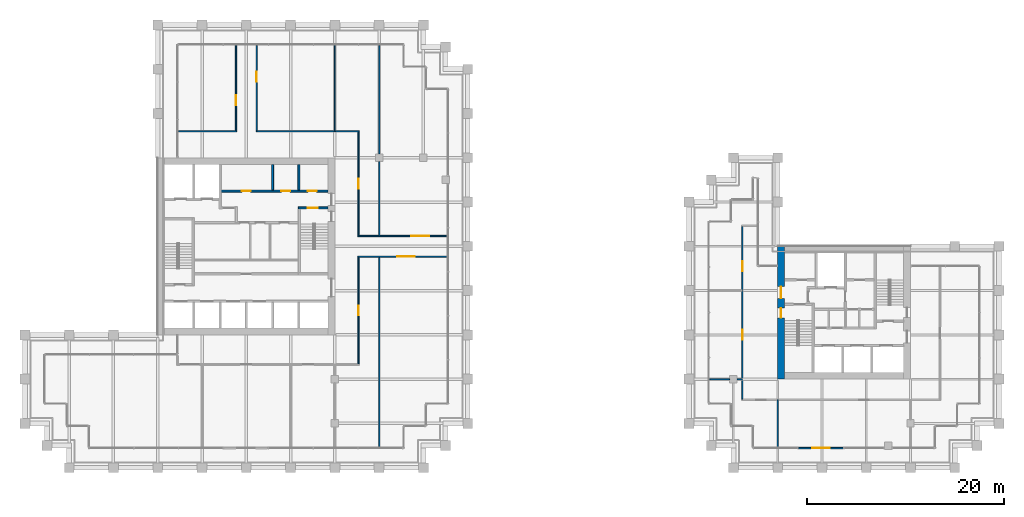
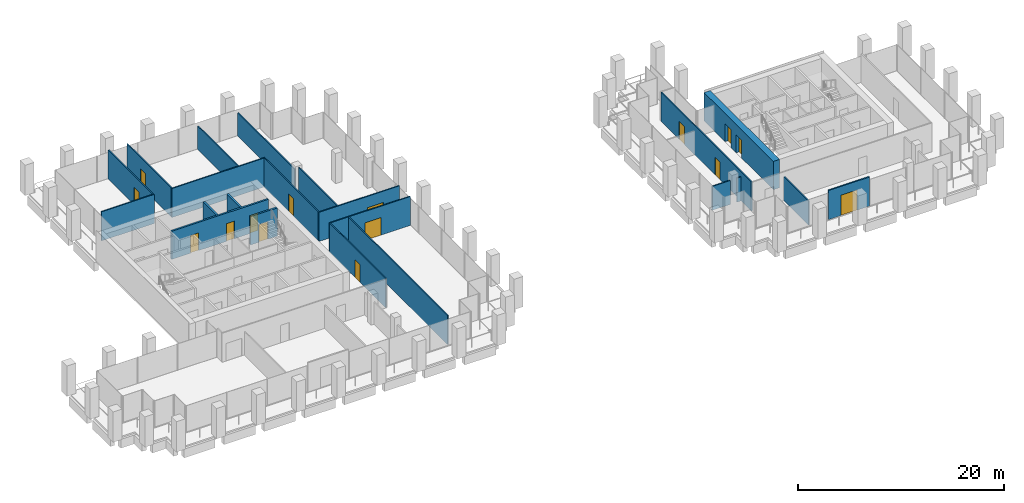
# One storey, part 42 of 46: 22 walls, 15 doors, 15 openings.
"""IFC4 building model written with IfcOpenShell, lengths in metres."""

from ifc_helpers import new_model, si_unit, direction, frame, frame_2d, origin, place, context, subcontext, project, spatial, rectangle, extrude, material, layer, layer_set, type_object, element, fill, save


model = new_model("IFC4")

# Units and contexts
model_context = context("Model", 3, precision=1e-05, world=origin(), true_north=direction((0.0, 1.0)))
body_context = subcontext(model_context, "Body", "Model", "MODEL_VIEW")
ifc_project = project(units=[si_unit("LENGTHUNIT", "METRE"), si_unit("AREAUNIT", "SQUARE_METRE"), si_unit("VOLUMEUNIT", "CUBIC_METRE"), si_unit("PLANEANGLEUNIT", "RADIAN"), si_unit("MASSUNIT", "GRAM", prefix="KILO")], contexts=[model_context])

# Site, building, storey
site_placement = place(None, origin())
site = spatial("IfcSite", under=ifc_project, at=site_placement, CompositionType="ELEMENT")
building_placement = place(site_placement, origin())
building = spatial("IfcBuilding", under=site, at=building_placement, Name="Altepetl Exchange Towers", CompositionType="ELEMENT")
storey_placement = place(building_placement, frame((0.0, 0.0, 106.39990234375)))
storey = spatial("IfcBuildingStorey", under=building, at=storey_placement, Name="L26", CompositionType="ELEMENT", Elevation=106.39990234375)

# Wall, openings, doors
ifc_material_1 = material(Name="Concrete C70/85", Category="concrete")
ifc_layer_1 = layer(ifc_material_1, 0.699951171875)
ifc_layer_set_1 = layer_set([ifc_layer_1], Name="Concrete C70/85")
wall_type_1 = type_object("IfcWallType", Name="Core wall 700 reinforced concrete", PredefinedType="SHEAR", material=ifc_layer_set_1)
wall_1_placement = place(storey_placement, frame((103.85009765625, 36.0, 0.0), z_axis=(0.0, 0.0, 1.0), x_axis=(0.0, 1.0, 0.0)))
wall_1 = element("IfcWall", 1, at=wall_1_placement, inside=storey, type_object=wall_type_1, Name="wall:B:L26:K-coreW", PredefinedType="SHEAR", context=body_context, shape_type="SweptSolid", body=[
    extrude(rectangle(XDim=13.5, YDim=0.699951171875, at=frame_2d((6.75, 0.0))), origin(), (0.0, 0.0, 1.0), 3.35009765625),
])
opening_1_placement = place(wall_1_placement, frame((8.199951171875, 0.0, 0.0)))
opening_1 = element("IfcOpeningElement", 2, at=opening_1_placement, cuts=wall_1, Name="Opening L26.B60", PredefinedType="OPENING", context=body_context, shape_type="SweptSolid", body=[
    extrude(rectangle(XDim=1.199951171875, YDim=2.10009765625, at=frame_2d((0.60009765625, 1.050048828125))), frame((0.0, 0.35986328125, 0.0), z_axis=(0.0, -1.0, 0.0), x_axis=(1.0, 0.0, 0.0)), (0.0, 0.0, 1.0), 0.719970703125),
])
opening_2_placement = place(wall_1_placement, frame((6.22509765625, 0.0, 0.0)))
opening_2 = element("IfcOpeningElement", 3, at=opening_2_placement, cuts=wall_1, Name="Opening L26.B63", PredefinedType="OPENING", context=body_context, shape_type="SweptSolid", body=[
    extrude(rectangle(XDim=1.0, YDim=2.10009765625, at=frame_2d((0.5, 1.050048828125))), frame((0.0, 0.35986328125, 0.0), z_axis=(0.0, -1.0, 0.0), x_axis=(1.0, 0.0, 0.0)), (0.0, 0.0, 1.0), 0.719970703125),
])
ifc_material_2 = material(Name="Steel and timber fire door", Category="steel")
door_type_1 = type_object("IfcDoorType", Name="Fire door 1000 x 2100 stair and lobby", OperationType="SINGLE_SWING_LEFT", PredefinedType="DOOR", material=ifc_material_2)
door_1_placement = place(opening_2_placement, frame((1.0, 0.0, 0.0), x_axis=(-1.0, 0.0, 0.0)))
door_1 = element("IfcDoor", 4, at=door_1_placement, inside=storey, type_object=door_type_1, Name="door:B:L26:K-dS1x", OperationType="SINGLE_SWING_RIGHT", OverallHeight=2.10009765625, OverallWidth=1.0, PredefinedType="DOOR", context=body_context, shape_type="SweptSolid", body=[
    extrude(rectangle(XDim=1.0, YDim=2.10009765625, at=frame_2d((0.5, 1.050048828125))), frame((0.0, 0.02490234375, 0.0), z_axis=(0.0, -1.0, 0.0), x_axis=(1.0, 0.0, 0.0)), (0.0, 0.0, 1.0), 0.050048828125),
])
fill(opening_2, door_1)
door_type_2 = type_object("IfcDoorType", Name="Fire door 1200 x 2100 lobby entry", OperationType="SINGLE_SWING_LEFT", PredefinedType="DOOR", material=ifc_material_2)
door_2_placement = place(opening_1_placement, frame((1.199951171875, 0.0, 0.0), x_axis=(-1.0, 0.0, 0.0)))
door_2 = element("IfcDoor", 5, at=door_2_placement, inside=storey, type_object=door_type_2, Name="door:B:L26:K-dLNW", OperationType="SINGLE_SWING_RIGHT", OverallHeight=2.10009765625, OverallWidth=1.199951171875, PredefinedType="DOOR", context=body_context, shape_type="SweptSolid", body=[
    extrude(rectangle(XDim=1.199951171875, YDim=2.10009765625, at=frame_2d((0.60009765625, 1.050048828125))), frame((0.0, 0.02490234375, 0.0), z_axis=(0.0, -1.0, 0.0), x_axis=(1.0, 0.0, 0.0)), (0.0, 0.0, 1.0), 0.050048828125),
])
fill(opening_1, door_2)

# Wall, opening, door
ifc_material_3 = material(Name="Aluminium composite cladding", Category="aluminium")
ifc_layer_2 = layer(ifc_material_3, 0.14990234375)
ifc_layer_set_2 = layer_set([ifc_layer_2], Name="Aluminium composite cladding")
wall_type_2 = type_object("IfcWallType", Name="Infill wall 150 aluminium panel", PredefinedType="SOLIDWALL", material=ifc_layer_set_2)
wall_2_placement = place(storey_placement, frame((105.606201171875, 29.0, 0.0)))
wall_2 = element("IfcWall", 6, at=wall_2_placement, inside=storey, type_object=wall_type_2, Name="Loggia door bay wall", PredefinedType="SOLIDWALL", context=body_context, shape_type="SweptSolid", body=[
    extrude(rectangle(XDim=4.606201171875, YDim=0.14990234375, at=frame_2d((2.30322265625, 0.0))), origin(), (0.0, 0.0, 1.0), 3.4501953125),
])
opening_3_placement = place(wall_2_placement, frame((1.403076171875, 0.0, 0.0)))
opening_3 = element("IfcOpeningElement", 7, at=opening_3_placement, cuts=wall_2, Name="Opening L26.B90", PredefinedType="OPENING", context=body_context, shape_type="SweptSolid", body=[
    extrude(rectangle(XDim=1.800048828125, YDim=2.39990234375, at=frame_2d((0.89990234375, 1.199951171875))), frame((0.0, 0.0849609375, 0.0), z_axis=(0.0, -1.0, 0.0), x_axis=(1.0, 0.0, 0.0)), (0.0, 0.0, 1.0), 0.169921875),
])
ifc_material_4 = material(Name="Aluminium 6063-T6 and glass", Category="aluminium")
door_type_3 = type_object("IfcDoorType", Name="Glazed door pair 1800x2400", OperationType="DOUBLE_DOOR_DOUBLE_SWING", PredefinedType="NOTDEFINED", material=ifc_material_4)
door_3_placement = place(opening_3_placement, frame((1.800048828125, 0.0, 0.0), x_axis=(-1.0, 0.0, 0.0)))
door_3 = element("IfcDoor", 8, at=door_3_placement, inside=storey, type_object=door_type_3, Name="Loggia door", OperationType="DOUBLE_DOOR_DOUBLE_SWING", OverallHeight=2.39990234375, OverallWidth=1.800048828125, PredefinedType="NOTDEFINED", context=body_context, shape_type="SweptSolid", body=[
    extrude(rectangle(XDim=1.800048828125, YDim=2.39990234375, at=frame_2d((0.89990234375, 1.199951171875))), frame((0.0, 0.02490234375, 0.0), z_axis=(0.0, -1.0, 0.0), x_axis=(1.0, 0.0, 0.0)), (0.0, 0.0, 1.0), 0.050048828125),
])
fill(opening_3, door_3)

# Wall
ifc_material_5 = material(Name="Timber panels on aluminium track", Category="wood")
ifc_layer_3 = layer(ifc_material_5, 0.125)
ifc_layer_set_3 = layer_set([ifc_layer_3], Name="Timber panels on aluminium track")
wall_type_3 = type_object("IfcWallType", Name="Operable acoustic partition 125", PredefinedType="MOVABLE", material=ifc_layer_set_3)
wall_3_placement = place(storey_placement, frame((58.5, 61.199951171875, 0.0), z_axis=(0.0, 0.0, 1.0), x_axis=(0.0, 1.0, 0.0)))
element("IfcWall", 9, at=wall_3_placement, inside=storey, type_object=wall_type_3, Name="wall:A:L26:P14", PredefinedType="MOVABLE", context=body_context, shape_type="SweptSolid", body=[
    extrude(rectangle(XDim=8.699951171875, YDim=0.125, at=frame_2d((4.35009765625, 0.0))), origin(), (0.0, 0.0, 1.0), 2.76611328125),
])

# Wall, opening, door
ifc_material_6 = material(Name="Gypsum board on steel studs", Category="steel")
ifc_layer_4 = layer(ifc_material_6, 0.125)
ifc_layer_set_4 = layer_set([ifc_layer_4], Name="Gypsum board on steel studs")
wall_type_4 = type_object("IfcWallType", Name="Partition 125 gypsum board on steel studs", PredefinedType="PARTITIONING", material=ifc_layer_set_4)
wall_4_placement = place(storey_placement, frame((60.83740234375, 48.449951171875, 0.0)))
wall_4 = element("IfcWall", 10, at=wall_4_placement, inside=storey, type_object=wall_type_4, Name="wall:A:L26:P02", PredefinedType="PARTITIONING", context=body_context, shape_type="SweptSolid", body=[
    extrude(rectangle(XDim=9.0625, YDim=0.125, at=frame_2d((4.53125, 0.0))), origin(), (0.0, 0.0, 1.0), 3.4501953125),
])
opening_4_placement = place(wall_4_placement, frame((3.9775390625, 0.0, 0.0)))
opening_4 = element("IfcOpeningElement", 11, at=opening_4_placement, cuts=wall_4, Name="Opening L26.A05", PredefinedType="OPENING", context=body_context, shape_type="SweptSolid", body=[
    extrude(rectangle(XDim=1.800048828125, YDim=2.10009765625, at=frame_2d((0.89990234375, 1.050048828125))), frame((0.0, 0.072509765625, 0.0), z_axis=(0.0, -1.0, 0.0), x_axis=(1.0, 0.0, 0.0)), (0.0, 0.0, 1.0), 0.14501953125),
])
door_type_4 = type_object("IfcDoorType", Name="Fire door 1800 x 2100 double leaf", OperationType="DOUBLE_DOOR_SINGLE_SWING", PredefinedType="DOOR", material=ifc_material_2)
door_4_placement = place(opening_4_placement, frame((1.800048828125, 0.0, 0.0), x_axis=(-1.0, 0.0, 0.0)))
door_4 = element("IfcDoor", 12, at=door_4_placement, inside=storey, type_object=door_type_4, Name="door:A:L26:05", OperationType="DOUBLE_DOOR_SINGLE_SWING", OverallHeight=2.10009765625, OverallWidth=1.800048828125, PredefinedType="DOOR", context=body_context, shape_type="SweptSolid", body=[
    extrude(rectangle(XDim=1.800048828125, YDim=2.10009765625, at=frame_2d((0.89990234375, 1.050048828125))), frame((0.0, 0.02490234375, 0.0), z_axis=(0.0, -1.0, 0.0), x_axis=(1.0, 0.0, 0.0)), (0.0, 0.0, 1.0), 0.050048828125),
])
fill(opening_4, door_4)

wall_5_placement = place(storey_placement, frame((60.83740234375, 50.550048828125, 0.0)))
wall_5 = element("IfcWall", 13, at=wall_5_placement, inside=storey, type_object=wall_type_4, Name="wall:A:L26:P03", PredefinedType="PARTITIONING", context=body_context, shape_type="SweptSolid", body=[
    extrude(rectangle(XDim=9.0625, YDim=0.125, at=frame_2d((4.53125, 0.0))), origin(), (0.0, 0.0, 1.0), 3.4501953125),
])
opening_5_placement = place(wall_5_placement, frame((5.447509765625, 0.0, 0.0)))
opening_5 = element("IfcOpeningElement", 14, at=opening_5_placement, cuts=wall_5, Name="Opening L26.A06", PredefinedType="OPENING", context=body_context, shape_type="SweptSolid", body=[
    extrude(rectangle(XDim=1.800048828125, YDim=2.10009765625, at=frame_2d((0.89990234375, 1.050048828125))), frame((0.0, 0.072509765625, 0.0), z_axis=(0.0, -1.0, 0.0), x_axis=(1.0, 0.0, 0.0)), (0.0, 0.0, 1.0), 0.14501953125),
])
door_5_placement = place(opening_5_placement, origin())
door_5 = element("IfcDoor", 15, at=door_5_placement, inside=storey, type_object=door_type_4, Name="door:A:L26:06", OperationType="DOUBLE_DOOR_SINGLE_SWING", OverallHeight=2.10009765625, OverallWidth=1.800048828125, PredefinedType="DOOR", context=body_context, shape_type="SweptSolid", body=[
    extrude(rectangle(XDim=1.800048828125, YDim=2.10009765625, at=frame_2d((0.89990234375, 1.050048828125))), frame((0.0, 0.02490234375, 0.0), z_axis=(0.0, -1.0, 0.0), x_axis=(1.0, 0.0, 0.0)), (0.0, 0.0, 1.0), 0.050048828125),
])
fill(opening_5, door_5)

# Walls
wall_6_placement = place(storey_placement, frame((42.60009765625, 61.199951171875, 0.0)))
element("IfcWall", 16, at=wall_6_placement, inside=storey, type_object=wall_type_4, Name="wall:A:L26:P04", PredefinedType="PARTITIONING", context=body_context, shape_type="SweptSolid", body=[
    extrude(rectangle(XDim=5.912353515625, YDim=0.125, at=frame_2d((2.9560546875, 0.0))), origin(), (0.0, 0.0, 1.0), 3.4501953125),
])
wall_7_placement = place(storey_placement, frame((50.487548828125, 61.199951171875, 0.0)))
element("IfcWall", 17, at=wall_7_placement, inside=storey, type_object=wall_type_4, Name="wall:A:L26:P05", PredefinedType="PARTITIONING", context=body_context, shape_type="SweptSolid", body=[
    extrude(rectangle(XDim=10.474853515625, YDim=0.125, at=frame_2d((5.2373046875, 0.0))), origin(), (0.0, 0.0, 1.0), 3.4501953125),
])

# Wall, opening, door
wall_8_placement = place(storey_placement, frame((48.449951171875, 61.262451171875, 0.0), z_axis=(0.0, 0.0, 1.0), x_axis=(0.0, 1.0, 0.0)))
wall_8 = element("IfcWall", 18, at=wall_8_placement, inside=storey, type_object=wall_type_4, Name="wall:A:L26:P08", PredefinedType="PARTITIONING", context=body_context, shape_type="SweptSolid", body=[
    extrude(rectangle(XDim=8.637451171875, YDim=0.125, at=frame_2d((4.31884765625, 0.0))), origin(), (0.0, 0.0, 1.0), 3.4501953125),
])
opening_6_placement = place(wall_8_placement, frame((2.597412109375, 0.0, 0.0)))
opening_6 = element("IfcOpeningElement", 19, at=opening_6_placement, cuts=wall_8, Name="Opening L26.A08", PredefinedType="OPENING", context=body_context, shape_type="SweptSolid", body=[
    extrude(rectangle(XDim=1.0, YDim=2.10009765625, at=frame_2d((0.5, 1.050048828125))), frame((0.0, 0.072509765625, 0.0), z_axis=(0.0, -1.0, 0.0), x_axis=(1.0, 0.0, 0.0)), (0.0, 0.0, 1.0), 0.14501953125),
])
door_type_5 = type_object("IfcDoorType", Name="Fire door 1000 x 2100 single leaf", OperationType="SINGLE_SWING_LEFT", PredefinedType="DOOR", material=ifc_material_2)
door_6_placement = place(opening_6_placement, origin())
door_6 = element("IfcDoor", 20, at=door_6_placement, inside=storey, type_object=door_type_5, Name="door:A:L26:08", OperationType="SINGLE_SWING_LEFT", OverallHeight=2.10009765625, OverallWidth=1.0, PredefinedType="DOOR", context=body_context, shape_type="SweptSolid", body=[
    extrude(rectangle(XDim=1.0, YDim=2.10009765625, at=frame_2d((0.5, 1.050048828125))), frame((0.0, 0.02490234375, 0.0), z_axis=(0.0, -1.0, 0.0), x_axis=(1.0, 0.0, 0.0)), (0.0, 0.0, 1.0), 0.050048828125),
])
fill(opening_6, door_6)

wall_9_placement = place(storey_placement, frame((50.550048828125, 61.262451171875, 0.0), z_axis=(0.0, 0.0, 1.0), x_axis=(0.0, 1.0, 0.0)))
wall_9 = element("IfcWall", 21, at=wall_9_placement, inside=storey, type_object=wall_type_4, Name="wall:A:L26:P09", PredefinedType="PARTITIONING", context=body_context, shape_type="SweptSolid", body=[
    extrude(rectangle(XDim=8.637451171875, YDim=0.125, at=frame_2d((4.31884765625, 0.0))), origin(), (0.0, 0.0, 1.0), 3.4501953125),
])
opening_7_placement = place(wall_9_placement, frame((4.9775390625, 0.0, 0.0)))
opening_7 = element("IfcOpeningElement", 22, at=opening_7_placement, cuts=wall_9, Name="Opening L26.A09", PredefinedType="OPENING", context=body_context, shape_type="SweptSolid", body=[
    extrude(rectangle(XDim=1.0, YDim=2.10009765625, at=frame_2d((0.5, 1.050048828125))), frame((0.0, 0.072509765625, 0.0), z_axis=(0.0, -1.0, 0.0), x_axis=(1.0, 0.0, 0.0)), (0.0, 0.0, 1.0), 0.14501953125),
])
door_7_placement = place(opening_7_placement, frame((1.0, 0.0, 0.0), x_axis=(-1.0, 0.0, 0.0)))
door_7 = element("IfcDoor", 23, at=door_7_placement, inside=storey, type_object=door_type_5, Name="door:A:L26:09", OperationType="SINGLE_SWING_RIGHT", OverallHeight=2.10009765625, OverallWidth=1.0, PredefinedType="DOOR", context=body_context, shape_type="SweptSolid", body=[
    extrude(rectangle(XDim=1.0, YDim=2.10009765625, at=frame_2d((0.5, 1.050048828125))), frame((0.0, 0.02490234375, 0.0), z_axis=(0.0, -1.0, 0.0), x_axis=(1.0, 0.0, 0.0)), (0.0, 0.0, 1.0), 0.050048828125),
])
fill(opening_7, door_7)

wall_10_placement = place(storey_placement, frame((60.89990234375, 37.5625, 0.0), z_axis=(0.0, 0.0, 1.0), x_axis=(0.0, 1.0, 0.0)))
wall_10 = element("IfcWall", 24, at=wall_10_placement, inside=storey, type_object=wall_type_4, Name="wall:A:L26:P15", PredefinedType="PARTITIONING", context=body_context, shape_type="SweptSolid", body=[
    extrude(rectangle(XDim=10.824951171875, YDim=0.125, at=frame_2d((5.41259765625, 0.0))), origin(), (0.0, 0.0, 1.0), 3.4501953125),
])
opening_8_placement = place(wall_10_placement, frame((4.91259765625, 0.0, 0.0)))
opening_8 = element("IfcOpeningElement", 25, at=opening_8_placement, cuts=wall_10, Name="Opening L26.A04", PredefinedType="OPENING", context=body_context, shape_type="SweptSolid", body=[
    extrude(rectangle(XDim=1.0, YDim=2.10009765625, at=frame_2d((0.5, 1.050048828125))), frame((0.0, 0.072509765625, 0.0), z_axis=(0.0, -1.0, 0.0), x_axis=(1.0, 0.0, 0.0)), (0.0, 0.0, 1.0), 0.14501953125),
])
door_8_placement = place(opening_8_placement, frame((1.0, 0.0, 0.0), x_axis=(-1.0, 0.0, 0.0)))
door_8 = element("IfcDoor", 26, at=door_8_placement, inside=storey, type_object=door_type_5, Name="door:A:L26:04", OperationType="SINGLE_SWING_RIGHT", OverallHeight=2.10009765625, OverallWidth=1.0, PredefinedType="DOOR", context=body_context, shape_type="SweptSolid", body=[
    extrude(rectangle(XDim=1.0, YDim=2.10009765625, at=frame_2d((0.5, 1.050048828125))), frame((0.0, 0.02490234375, 0.0), z_axis=(0.0, -1.0, 0.0), x_axis=(1.0, 0.0, 0.0)), (0.0, 0.0, 1.0), 0.050048828125),
])
fill(opening_8, door_8)

wall_11_placement = place(storey_placement, frame((60.89990234375, 50.612548828125, 0.0), z_axis=(0.0, 0.0, 1.0), x_axis=(0.0, 1.0, 0.0)))
wall_11 = element("IfcWall", 27, at=wall_11_placement, inside=storey, type_object=wall_type_4, Name="wall:A:L26:P16", PredefinedType="PARTITIONING", context=body_context, shape_type="SweptSolid", body=[
    extrude(rectangle(XDim=10.52490234375, YDim=0.125, at=frame_2d((5.262451171875, 0.0))), origin(), (0.0, 0.0, 1.0), 3.4501953125),
])
opening_9_placement = place(wall_11_placement, frame((4.762451171875, 0.0, 0.0)))
opening_9 = element("IfcOpeningElement", 28, at=opening_9_placement, cuts=wall_11, Name="Opening L26.A07", PredefinedType="OPENING", context=body_context, shape_type="SweptSolid", body=[
    extrude(rectangle(XDim=1.0, YDim=2.10009765625, at=frame_2d((0.5, 1.050048828125))), frame((0.0, 0.072509765625, 0.0), z_axis=(0.0, -1.0, 0.0), x_axis=(1.0, 0.0, 0.0)), (0.0, 0.0, 1.0), 0.14501953125),
])
door_9_placement = place(opening_9_placement, frame((1.0, 0.0, 0.0), x_axis=(-1.0, 0.0, 0.0)))
door_9 = element("IfcDoor", 29, at=door_9_placement, inside=storey, type_object=door_type_5, Name="door:A:L26:07", OperationType="SINGLE_SWING_RIGHT", OverallHeight=2.10009765625, OverallWidth=1.0, PredefinedType="DOOR", context=body_context, shape_type="SweptSolid", body=[
    extrude(rectangle(XDim=1.0, YDim=2.10009765625, at=frame_2d((0.5, 1.050048828125))), frame((0.0, 0.02490234375, 0.0), z_axis=(0.0, -1.0, 0.0), x_axis=(1.0, 0.0, 0.0)), (0.0, 0.0, 1.0), 0.050048828125),
])
fill(opening_9, door_9)

# Walls
wall_12_placement = place(storey_placement, frame((63.0, 29.10009765625, 0.0), z_axis=(0.0, 0.0, 1.0), x_axis=(0.0, 1.0, 0.0)))
element("IfcWall", 30, at=wall_12_placement, inside=storey, type_object=wall_type_4, Name="wall:A:L26:P17", PredefinedType="PARTITIONING", context=body_context, shape_type="SweptSolid", body=[
    extrude(rectangle(XDim=19.349853515625, YDim=0.125, at=frame_2d((9.6748046875, 0.0))), origin(), (0.0, 0.0, 1.0), 3.4501953125),
])
wall_13_placement = place(storey_placement, frame((63.0, 50.550048828125, 0.0), z_axis=(0.0, 0.0, 1.0), x_axis=(0.0, 1.0, 0.0)))
element("IfcWall", 31, at=wall_13_placement, inside=storey, type_object=wall_type_4, Name="wall:A:L26:P18", PredefinedType="PARTITIONING", context=body_context, shape_type="SweptSolid", body=[
    extrude(rectangle(XDim=7.574951171875, YDim=0.125, at=frame_2d((3.78759765625, 0.0))), origin(), (0.0, 0.0, 1.0), 3.4501953125),
])
wall_14_placement = place(storey_placement, frame((63.0, 58.875, 0.0), z_axis=(0.0, 0.0, 1.0), x_axis=(0.0, 1.0, 0.0)))
element("IfcWall", 32, at=wall_14_placement, inside=storey, type_object=wall_type_4, Name="wall:A:L26:P19", PredefinedType="PARTITIONING", context=body_context, shape_type="SweptSolid", body=[
    extrude(rectangle(XDim=11.02490234375, YDim=0.125, at=frame_2d((5.512451171875, 0.0))), origin(), (0.0, 0.0, 1.0), 2.76611328125),
])
wall_15_placement = place(storey_placement, frame((96.60009765625, 36.0, 0.0)))
element("IfcWall", 33, at=wall_15_placement, inside=storey, type_object=wall_type_4, Name="wall:B:L26:P02", PredefinedType="PARTITIONING", context=body_context, shape_type="SweptSolid", body=[
    extrude(rectangle(XDim=2.02490234375, YDim=0.125, at=frame_2d((1.012451171875, 0.0))), origin(), (0.0, 0.0, 1.0), 2.842041015625),
])
wall_16_placement = place(storey_placement, frame((99.375, 36.0, 0.0)))
element("IfcWall", 34, at=wall_16_placement, inside=storey, type_object=wall_type_4, Name="wall:B:L26:P03", PredefinedType="PARTITIONING", context=body_context, shape_type="SweptSolid", body=[
    extrude(rectangle(XDim=0.52490234375, YDim=0.125, at=frame_2d((0.262451171875, 0.0))), origin(), (0.0, 0.0, 1.0), 2.842041015625),
])

# Wall, openings, doors
wall_17_placement = place(storey_placement, frame((99.89990234375, 33.96240234375, 0.0), z_axis=(0.0, 0.0, 1.0), x_axis=(0.0, 1.0, 0.0)))
wall_17 = element("IfcWall", 35, at=wall_17_placement, inside=storey, type_object=wall_type_4, Name="wall:B:L26:P06", PredefinedType="PARTITIONING", context=body_context, shape_type="SweptSolid", body=[
    extrude(rectangle(XDim=17.5751953125, YDim=0.125, at=frame_2d((8.78759765625, 0.0))), origin(), (0.0, 0.0, 1.0), 3.4501953125),
])
opening_10_placement = place(wall_17_placement, frame((6.03759765625, 0.0, 0.0)))
opening_10 = element("IfcOpeningElement", 36, at=opening_10_placement, cuts=wall_17, Name="Opening L26.B01", PredefinedType="OPENING", context=body_context, shape_type="SweptSolid", body=[
    extrude(rectangle(XDim=1.0, YDim=2.10009765625, at=frame_2d((0.5, 1.050048828125))), frame((0.0, 0.072509765625, 0.0), z_axis=(0.0, -1.0, 0.0), x_axis=(1.0, 0.0, 0.0)), (0.0, 0.0, 1.0), 0.14501953125),
])
opening_11_placement = place(wall_17_placement, frame((13.014404296875, 0.0, 0.0)))
opening_11 = element("IfcOpeningElement", 37, at=opening_11_placement, cuts=wall_17, Name="Opening L26.B05", PredefinedType="OPENING", context=body_context, shape_type="SweptSolid", body=[
    extrude(rectangle(XDim=1.0, YDim=2.10009765625, at=frame_2d((0.5, 1.050048828125))), frame((0.0, 0.072509765625, 0.0), z_axis=(0.0, -1.0, 0.0), x_axis=(1.0, 0.0, 0.0)), (0.0, 0.0, 1.0), 0.14501953125),
])
door_10_placement = place(opening_10_placement, origin())
door_10 = element("IfcDoor", 38, at=door_10_placement, inside=storey, type_object=door_type_5, Name="door:B:L26:01", OperationType="SINGLE_SWING_LEFT", OverallHeight=2.10009765625, OverallWidth=1.0, PredefinedType="DOOR", context=body_context, shape_type="SweptSolid", body=[
    extrude(rectangle(XDim=1.0, YDim=2.10009765625, at=frame_2d((0.5, 1.050048828125))), frame((0.0, 0.02490234375, 0.0), z_axis=(0.0, -1.0, 0.0), x_axis=(1.0, 0.0, 0.0)), (0.0, 0.0, 1.0), 0.050048828125),
])
fill(opening_10, door_10)
door_11_placement = place(opening_11_placement, origin())
door_11 = element("IfcDoor", 39, at=door_11_placement, inside=storey, type_object=door_type_5, Name="door:B:L26:05", OperationType="SINGLE_SWING_RIGHT", OverallHeight=2.10009765625, OverallWidth=1.0, PredefinedType="DOOR", context=body_context, shape_type="SweptSolid", body=[
    extrude(rectangle(XDim=1.0, YDim=2.10009765625, at=frame_2d((0.5, 1.050048828125))), frame((0.0, 0.02490234375, 0.0), z_axis=(0.0, -1.0, 0.0), x_axis=(1.0, 0.0, 0.0)), (0.0, 0.0, 1.0), 0.050048828125),
])
fill(opening_11, door_11)

# Walls
wall_18_placement = place(storey_placement, frame((103.5, 29.10009765625, 0.0), z_axis=(0.0, 0.0, 1.0), x_axis=(0.0, 1.0, 0.0)))
element("IfcWall", 40, at=wall_18_placement, inside=storey, type_object=wall_type_4, Name="wall:B:L26:P07", PredefinedType="PARTITIONING", context=body_context, shape_type="SweptSolid", body=[
    extrude(rectangle(XDim=4.7998046875, YDim=0.125, at=frame_2d((2.39990234375, 0.0))), origin(), (0.0, 0.0, 1.0), 2.85107421875),
])
ifc_material_7 = material(Name="Concrete C40/50", Category="concrete")
ifc_layer_5 = layer(ifc_material_7, 0.199951171875)
ifc_layer_set_5 = layer_set([ifc_layer_5], Name="Concrete C40/50")
wall_type_5 = type_object("IfcWallType", Name="Shaft wall 200 reinforced concrete", PredefinedType="SHEAR", material=ifc_layer_set_5)
for number, where, z_axis, x_axis, name in (
    (41, (52.166748046875, 57.800048828125, 0.0), (0.0, 0.0, 1.0), (0.0, -1.0, 0.0), "wall:A:L26:K-divN4"),
    (42, (54.833251953125, 57.800048828125, 0.0), (0.0, 0.0, 1.0), (0.0, -1.0, 0.0), "wall:A:L26:K-divN5"),
):
    element("IfcWall", number, at=place(storey_placement, frame(where, z_axis=z_axis, x_axis=x_axis)), inside=storey, type_object=wall_type_5, Name=name, PredefinedType="SHEAR", context=body_context, shape_type="SweptSolid", body=[
        extrude(rectangle(XDim=2.60009765625, YDim=0.199951171875, at=frame_2d((1.300048828125, 0.0))), origin(), (0.0, 0.0, 1.0), 3.35009765625),
    ])

# Wall, openings, doors
wall_19_placement = place(storey_placement, frame((46.933349609375, 55.10009765625, 0.0)))
wall_19 = element("IfcWall", 43, at=wall_19_placement, inside=storey, type_object=wall_type_5, Name="wall:A:L26:K-frontNb", PredefinedType="SHEAR", context=body_context, shape_type="SweptSolid", body=[
    extrude(rectangle(XDim=10.86669921875, YDim=0.199951171875, at=frame_2d((5.433349609375, 0.0))), origin(), (0.0, 0.0, 1.0), 3.35009765625),
])
opening_12_placement = place(wall_19_placement, frame((8.83349609375, 0.0, 0.0)))
opening_12 = element("IfcOpeningElement", 44, at=opening_12_placement, cuts=wall_19, Name="Opening L26.A66", PredefinedType="OPENING", context=body_context, shape_type="SweptSolid", body=[
    extrude(rectangle(XDim=0.89990234375, YDim=2.10009765625, at=frame_2d((0.449951171875, 1.050048828125))), frame((0.0, 0.10986328125, 0.0), z_axis=(0.0, -1.0, 0.0), x_axis=(1.0, 0.0, 0.0)), (0.0, 0.0, 1.0), 0.219970703125),
])
opening_13_placement = place(wall_19_placement, frame((2.11669921875, 0.0, 0.0)))
opening_13 = element("IfcOpeningElement", 45, at=opening_13_placement, cuts=wall_19, Name="Opening L26.A67", PredefinedType="OPENING", context=body_context, shape_type="SweptSolid", body=[
    extrude(rectangle(XDim=0.89990234375, YDim=2.10009765625, at=frame_2d((0.449951171875, 1.050048828125))), frame((0.0, 0.10986328125, 0.0), z_axis=(0.0, -1.0, 0.0), x_axis=(1.0, 0.0, 0.0)), (0.0, 0.0, 1.0), 0.219970703125),
])
opening_14_placement = place(wall_19_placement, frame((6.11669921875, 0.0, 0.0)))
opening_14 = element("IfcOpeningElement", 46, at=opening_14_placement, cuts=wall_19, Name="Opening L26.A68", PredefinedType="OPENING", context=body_context, shape_type="SweptSolid", body=[
    extrude(rectangle(XDim=0.89990234375, YDim=2.10009765625, at=frame_2d((0.449951171875, 1.050048828125))), frame((0.0, 0.10986328125, 0.0), z_axis=(0.0, -1.0, 0.0), x_axis=(1.0, 0.0, 0.0)), (0.0, 0.0, 1.0), 0.219970703125),
])
door_type_6 = type_object("IfcDoorType", Name="Fire door 900 x 2100 service room", OperationType="SINGLE_SWING_LEFT", PredefinedType="DOOR", material=ifc_material_2)
door_12_placement = place(opening_12_placement, origin())
door_12 = element("IfcDoor", 47, at=door_12_placement, inside=storey, type_object=door_type_6, Name="door:A:L26:K-driser", OperationType="SINGLE_SWING_RIGHT", OverallHeight=2.10009765625, OverallWidth=0.89990234375, PredefinedType="DOOR", context=body_context, shape_type="SweptSolid", body=[
    extrude(rectangle(XDim=0.89990234375, YDim=2.10009765625, at=frame_2d((0.449951171875, 1.050048828125))), frame((0.0, 0.02490234375, 0.0), z_axis=(0.0, -1.0, 0.0), x_axis=(1.0, 0.0, 0.0)), (0.0, 0.0, 1.0), 0.050048828125),
])
fill(opening_12, door_12)
door_13_placement = place(opening_13_placement, origin())
door_13 = element("IfcDoor", 48, at=door_13_placement, inside=storey, type_object=door_type_6, Name="door:A:L26:K-dslotN2", OperationType="SINGLE_SWING_RIGHT", OverallHeight=2.10009765625, OverallWidth=0.89990234375, PredefinedType="DOOR", context=body_context, shape_type="SweptSolid", body=[
    extrude(rectangle(XDim=0.89990234375, YDim=2.10009765625, at=frame_2d((0.449951171875, 1.050048828125))), frame((0.0, 0.02490234375, 0.0), z_axis=(0.0, -1.0, 0.0), x_axis=(1.0, 0.0, 0.0)), (0.0, 0.0, 1.0), 0.050048828125),
])
fill(opening_13, door_13)
door_14_placement = place(opening_14_placement, origin())
door_14 = element("IfcDoor", 49, at=door_14_placement, inside=storey, type_object=door_type_6, Name="door:A:L26:K-dslotN4", OperationType="SINGLE_SWING_RIGHT", OverallHeight=2.10009765625, OverallWidth=0.89990234375, PredefinedType="DOOR", context=body_context, shape_type="SweptSolid", body=[
    extrude(rectangle(XDim=0.89990234375, YDim=2.10009765625, at=frame_2d((0.449951171875, 1.050048828125))), frame((0.0, 0.02490234375, 0.0), z_axis=(0.0, -1.0, 0.0), x_axis=(1.0, 0.0, 0.0)), (0.0, 0.0, 1.0), 0.050048828125),
])
fill(opening_14, door_14)

# Wall, opening, door
ifc_layer_6 = layer(ifc_material_7, 0.199951171875)
ifc_layer_set_6 = layer_set([ifc_layer_6], Name="Concrete C40/50")
wall_type_6 = type_object("IfcWallType", Name="Stair wall 200 reinforced concrete", PredefinedType="SHEAR", material=ifc_layer_set_6)
wall_20_placement = place(storey_placement, frame((54.800048828125, 53.39990234375, 0.0)))
wall_20 = element("IfcWall", 50, at=wall_20_placement, inside=storey, type_object=wall_type_6, Name="wall:A:L26:K-stS2N", PredefinedType="SHEAR", context=body_context, shape_type="SweptSolid", body=[
    extrude(rectangle(XDim=3.0, YDim=0.199951171875, at=frame_2d((1.5, 0.0))), origin(), (0.0, 0.0, 1.0), 3.35009765625),
])
opening_15_placement = place(wall_20_placement, frame((0.949951171875, 0.0, 0.0)))
opening_15 = element("IfcOpeningElement", 51, at=opening_15_placement, cuts=wall_20, Name="Opening L26.A63", PredefinedType="OPENING", context=body_context, shape_type="SweptSolid", body=[
    extrude(rectangle(XDim=1.0, YDim=2.10009765625, at=frame_2d((0.5, 1.050048828125))), frame((0.0, 0.10986328125, 0.0), z_axis=(0.0, -1.0, 0.0), x_axis=(1.0, 0.0, 0.0)), (0.0, 0.0, 1.0), 0.219970703125),
])
door_15_placement = place(opening_15_placement, frame((1.0, 0.0, 0.0), x_axis=(-1.0, 0.0, 0.0)))
door_15 = element("IfcDoor", 52, at=door_15_placement, inside=storey, type_object=door_type_1, Name="door:A:L26:K-dS2in", OperationType="SINGLE_SWING_LEFT", OverallHeight=2.10009765625, OverallWidth=1.0, PredefinedType="DOOR", context=body_context, shape_type="SweptSolid", body=[
    extrude(rectangle(XDim=1.0, YDim=2.10009765625, at=frame_2d((0.5, 1.050048828125))), frame((0.0, 0.02490234375, 0.0), z_axis=(0.0, -1.0, 0.0), x_axis=(1.0, 0.0, 0.0)), (0.0, 0.0, 1.0), 0.050048828125),
])
fill(opening_15, door_15)

save(model, "model.ifc")
